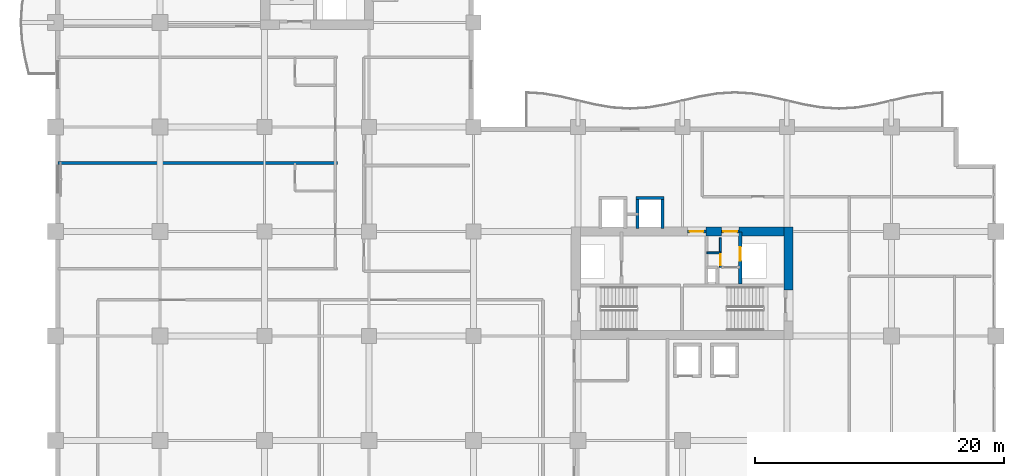
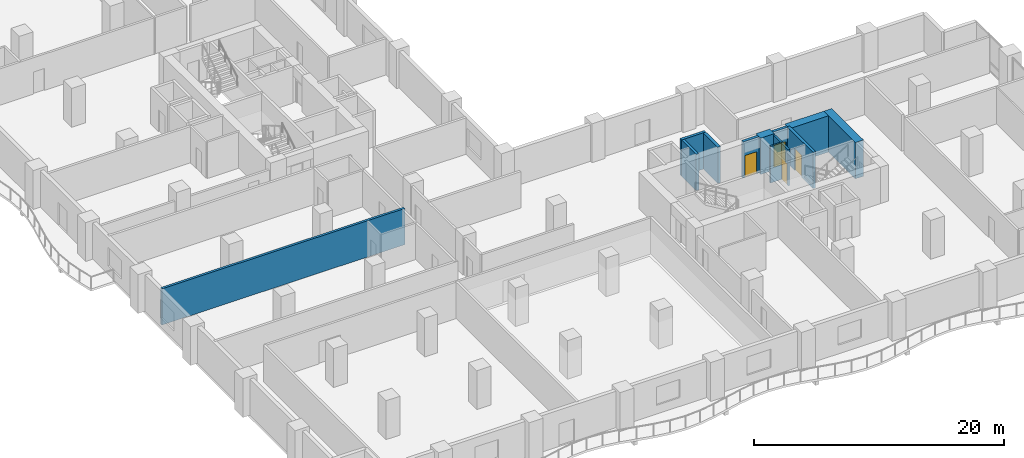
# One storey, part 10 of 23: 12 walls, 4 doors, 4 openings.
"""IFC4 building model written with IfcOpenShell, lengths in metres."""

import ifcopenshell
import ifcopenshell.guid

model = None  # the IFC model being written
_history = None  # IfcOwnerHistory: only IFC2X3 demands one
_inside = {}  # id of a spatial element -> (the spatial element, [elements in it])
_under = {}  # id of a project, library or spatial element -> (it, [spatial elements below it])
_declared = {}  # id of a project -> (the project, [libraries it declares])
_typed = {}  # id of a type object -> (the type object, [elements of that type])
_made_of = {}  # id of a material, layer set ... -> (it, [elements and type objects made of it])


def new_model(schema):
    """Start an empty IFC model of exactly this schema.

    Asked for "IFC4X3", IfcOpenShell would pick the latest addendum, in which some entities
    have other attributes; the version numbers below select the first issue.
    IFC2X3 requires an IfcOwnerHistory on every rooted entity: one is made here for all.
    """
    global model, _history
    if schema == "IFC4X3":
        model = ifcopenshell.file(schema_version=(4, 3, 0, 0))
    else:
        model = ifcopenshell.file(schema=schema)
    _inside.clear()
    _under.clear()
    _declared.clear()
    _typed.clear()
    _made_of.clear()
    _history = None
    if model.schema == "IFC2X3":
        org = make("IfcOrganization", Name="unknown")
        user = make(
            "IfcPersonAndOrganization",
            ThePerson=make("IfcPerson", FamilyName="unknown"),
            TheOrganization=org,
        )
        app = make(
            "IfcApplication",
            ApplicationDeveloper=org,
            Version="unknown",
            ApplicationFullName="unknown",
            ApplicationIdentifier="unknown",
        )
        _history = make(
            "IfcOwnerHistory",
            OwningUser=user,
            OwningApplication=app,
            ChangeAction="ADDED",
            CreationDate=0,
        )
    return model


def make(cls, **values):
    """One entity of the class cls with the attributes given. An attribute that is None is left unset."""
    return model.create_entity(
        cls, **{name: value for name, value in values.items() if value is not None}
    )


def rooted(cls, **values):
    """An entity with a GlobalId (a new one), such as an element, a storey or a relation."""
    return make(cls, GlobalId=ifcopenshell.guid.new(), OwnerHistory=_history, **values)


def si_unit(unit_type, name, prefix=None):
    """IfcSIUnit, for example si_unit("LENGTHUNIT", "METRE", prefix="MILLI")."""
    return make("IfcSIUnit", UnitType=unit_type, Prefix=prefix, Name=name)


def assignment(units):
    """IfcUnitAssignment: the units of a project."""
    return None if units is None else make("IfcUnitAssignment", Units=units)


def point(xyz):
    """IfcCartesianPoint."""
    return None if xyz is None else make("IfcCartesianPoint", Coordinates=xyz)


def direction(xyz):
    """IfcDirection."""
    return None if xyz is None else make("IfcDirection", DirectionRatios=xyz)


def frame(location, z_axis=None, x_axis=None):
    """IfcAxis2Placement3D, a coordinate frame: its origin and axes. An axis left out is left unset."""
    return make(
        "IfcAxis2Placement3D",
        Location=point(location),
        Axis=direction(z_axis),
        RefDirection=direction(x_axis),
    )


def frame_2d(location, x_axis=None):
    """IfcAxis2Placement2D, a coordinate frame in the plane: its origin and x axis."""
    return make(
        "IfcAxis2Placement2D", Location=point(location), RefDirection=direction(x_axis)
    )


def origin():
    """The frame at (0, 0, 0) with its axes left unset."""
    return frame((0.0, 0.0, 0.0))


def place(relative_to, where):
    """IfcLocalPlacement: puts the frame where relative to a parent placement (None: the world)."""
    return make(
        "IfcLocalPlacement", PlacementRelTo=relative_to, RelativePlacement=where
    )


def context(
    kind, dimensions, precision=None, world=None, true_north=None, identifier=None
):
    """IfcGeometricRepresentationContext, for example the 3D "Model" context."""
    return make(
        "IfcGeometricRepresentationContext",
        ContextIdentifier=identifier,
        ContextType=kind,
        CoordinateSpaceDimension=dimensions,
        Precision=precision,
        WorldCoordinateSystem=world,
        TrueNorth=true_north,
    )


def subcontext(parent, identifier, kind, view, scale=None):
    """IfcGeometricRepresentationSubContext, for example "Body" below "Model"."""
    return make(
        "IfcGeometricRepresentationSubContext",
        ContextIdentifier=identifier,
        ContextType=kind,
        ParentContext=parent,
        TargetScale=scale,
        TargetView=view,
    )


def project(units=None, contexts=None):
    """IfcProject with its units and contexts."""
    return rooted(
        "IfcProject",
        Name="project",
        RepresentationContexts=contexts,
        UnitsInContext=assignment(units),
    )


def spatial(cls, under=None, at=None, **own):
    """A site, building, storey or space (cls), placed at a placement, below another one or the project."""
    s = rooted(cls, ObjectPlacement=at, **own)
    if under is not None:
        _under.setdefault(under.id(), (under, []))[1].append(s)
    return s


def profile(cls, at=None, kind="AREA", **sizes):
    """A parametric profile (cls). Its sizes go by their IFC names, for example OverallWidth=200.0."""
    return make(cls, ProfileType=kind, Position=at, **sizes)


def rectangle(**sizes):
    """IfcRectangleProfileDef."""
    return profile("IfcRectangleProfileDef", **sizes)


def extrude(swept, where, along, depth):
    """IfcExtrudedAreaSolid: the profile swept, set in the frame where, extruded along a direction by depth."""
    return make(
        "IfcExtrudedAreaSolid",
        SweptArea=swept,
        Position=where,
        ExtrudedDirection=direction(along),
        Depth=depth,
    )


def shape(context_of_items, identifier, shape_type, items):
    """IfcShapeRepresentation: the items that make up one representation, for example the "Body"."""
    return make(
        "IfcShapeRepresentation",
        ContextOfItems=context_of_items,
        RepresentationIdentifier=identifier,
        RepresentationType=shape_type,
        Items=items,
    )


def material(Name=None, Category=None):
    """IfcMaterial."""
    return make("IfcMaterial", Name=Name, Category=Category)


def layer(
    of_material, thickness, ventilated=None, Name=None, Category=None, Priority=None
):
    """IfcMaterialLayer: one layer of a wall or slab, of a material (None: an air gap)."""
    return make(
        "IfcMaterialLayer",
        Material=of_material,
        LayerThickness=thickness,
        IsVentilated=ventilated,
        Name=Name,
        Category=Category,
        Priority=Priority,
    )


def layer_set(layers, Name=None):
    """IfcMaterialLayerSet."""
    return make("IfcMaterialLayerSet", MaterialLayers=layers, LayerSetName=Name)


def made_of(thing, what):
    """Note that an element or type object is made of a material, layer set ...; save() writes the relation."""
    if what is not None:
        _made_of.setdefault(what.id(), (what, []))[1].append(thing)
    return thing


def type_object(cls, material=None, **own):
    """A type object (cls), such as IfcWallType, which elements share."""
    return made_of(rooted(cls, **own), material)


def element(
    cls,
    number,
    at=None,
    inside=None,
    cuts=None,
    type_object=None,
    material=None,
    context=None,
    identifier="Body",
    shape_type=None,
    held_by="IfcProductDefinitionShape",
    body=None,
    shapes=None,
    **own,
):
    """One element of the class cls, such as IfcWall. Its Tag is "e" and its number.

    at: its placement. inside: the storey or other place that contains it. cuts: it is an
    opening in that element (IfcRelVoidsElement). A single representation is given by context,
    identifier, shape_type and body (its items); several are given by shapes. held_by: the class
    of the entity that holds the representations. save() writes the other relations.
    """
    e = rooted(cls, Tag="e%d" % number, ObjectPlacement=at, **own)
    if body is not None:
        shapes = [shape(context, identifier, shape_type, body)]
    if shapes is not None:
        e.Representation = make(held_by, Representations=shapes)
    if inside is not None:
        _inside.setdefault(inside.id(), (inside, []))[1].append(e)
    if cuts is not None:
        rooted(
            "IfcRelVoidsElement", RelatingBuildingElement=cuts, RelatedOpeningElement=e
        )
    if type_object is not None:
        _typed.setdefault(type_object.id(), (type_object, []))[1].append(e)
    return made_of(e, material)


def fill(opening, filler):
    """IfcRelFillsElement: the door or window that sits in an opening."""
    return rooted(
        "IfcRelFillsElement",
        RelatingOpeningElement=opening,
        RelatedBuildingElement=filler,
    )


def aggregate(whole, parts):
    """IfcRelAggregates: a whole, such as a stair, and the parts it consists of."""
    return rooted("IfcRelAggregates", RelatingObject=whole, RelatedObjects=parts)


def save(model, path):
    """Write the relations noted so far, then the file.

    IfcRelAggregates (storeys below a building ...), IfcRelContainedInSpatialStructure (elements
    in a storey), IfcRelDefinesByType, IfcRelAssociatesMaterial and IfcRelDeclares: one each for
    every whole, place, type object, material and project.
    """
    for whole, parts in _under.values():
        aggregate(whole, parts)
    for where, things in _inside.values():
        rooted(
            "IfcRelContainedInSpatialStructure",
            RelatedElements=things,
            RelatingStructure=where,
        )
    for kind, things in _typed.values():
        rooted("IfcRelDefinesByType", RelatedObjects=things, RelatingType=kind)
    for what, things in _made_of.values():
        rooted("IfcRelAssociatesMaterial", RelatedObjects=things, RelatingMaterial=what)
    for by, libraries in _declared.values():
        rooted("IfcRelDeclares", RelatingContext=by, RelatedDefinitions=libraries)
    model.write(path)


model = new_model("IFC4")

# Units and contexts
model_context = context("Model", 3, precision=1e-05, world=origin(), true_north=direction((0.0, 1.0)))
body_context = subcontext(model_context, "Body", "Model", "MODEL_VIEW")
ifc_project = project(units=[si_unit("LENGTHUNIT", "METRE"), si_unit("AREAUNIT", "SQUARE_METRE"), si_unit("VOLUMEUNIT", "CUBIC_METRE"), si_unit("PLANEANGLEUNIT", "RADIAN"), si_unit("MASSUNIT", "GRAM", prefix="KILO")], contexts=[model_context])

# Site, building, storey
site_placement = place(None, origin())
site = spatial("IfcSite", under=ifc_project, at=site_placement, CompositionType="ELEMENT")
building_placement = place(site_placement, origin())
building = spatial("IfcBuilding", under=site, at=building_placement, Name="Koriwani Terraces Tower", CompositionType="ELEMENT")
storey_placement = place(building_placement, frame((0.0, 0.0, 134.199951171875)))
storey = spatial("IfcBuildingStorey", under=building, at=storey_placement, Name="L32", CompositionType="ELEMENT", Elevation=134.199951171875)

# Walls
ifc_material_1 = material(Name="Concrete C60/75", Category="concrete")
ifc_layer_1 = layer(ifc_material_1, 0.75, Name="Concrete C60/75")
ifc_layer_set_1 = layer_set([ifc_layer_1], Name="Concrete C60/75")
wall_type_1 = type_object("IfcWallType", Name="WALL_CORE_RC_750", PredefinedType="SHEAR", material=ifc_layer_set_1)
wall_1_placement = place(storey_placement, frame((58.925048828125, 20.5, 0.0), z_axis=(0.0, 0.0, 1.0), x_axis=(0.0, 1.0, 0.0)))
element("IfcWall", 1, at=wall_1_placement, inside=storey, type_object=wall_type_1, Name="L32 East Split Core Shear Wall E2", PredefinedType="SHEAR", context=body_context, shape_type="SweptSolid", body=[
    extrude(rectangle(XDim=5.074951171875, YDim=0.75, at=frame_2d((2.53759765625, 0.0))), origin(), (0.0, 0.0, 1.0), 3.550048828125),
])
wall_2_placement = place(storey_placement, frame((52.280029296875, 25.199951171875, 0.0), z_axis=(0.0, 0.0, 1.0), x_axis=(1.0, 0.0, 0.0)))
element("IfcWall", 2, at=wall_2_placement, inside=storey, type_object=wall_type_1, Name="L32 East Split Core Shear Wall N2", PredefinedType="SHEAR", context=body_context, shape_type="SweptSolid", body=[
    extrude(rectangle(XDim=1.27001953125, YDim=0.75, at=frame_2d((0.635009765625, 0.0))), origin(), (0.0, 0.0, 1.0), 3.550048828125),
])
wall_3_placement = place(storey_placement, frame((54.949951171875, 25.199951171875, 0.0), z_axis=(0.0, 0.0, 1.0), x_axis=(1.0, 0.0, 0.0)))
element("IfcWall", 3, at=wall_3_placement, inside=storey, type_object=wall_type_1, Name="L32 East Split Core Shear Wall N3", PredefinedType="SHEAR", context=body_context, shape_type="SweptSolid", body=[
    extrude(rectangle(XDim=3.60009765625, YDim=0.75, at=frame_2d((1.800048828125, 0.0))), origin(), (0.0, 0.0, 1.0), 3.550048828125),
])
ifc_material_2 = material(Name="Autoclaved Cellular Concrete Blockwork", Category="masonry")
ifc_layer_2 = layer(ifc_material_2, 0.219970703125, Name="Autoclaved Cellular Concrete Blockwork")
ifc_layer_set_2 = layer_set([ifc_layer_2], Name="Autoclaved Cellular Concrete Blockwork")
wall_type_2 = type_object("IfcWallType", Name="WALL_DEMISING_220", PredefinedType="PARTITIONING", material=ifc_layer_set_2)
wall_4_placement = place(storey_placement, frame((0.199951171875, 30.699951171875, 0.0), z_axis=(0.0, 0.0, 1.0), x_axis=(1.0, 0.0, 0.0)))
element("IfcWall", 4, at=wall_4_placement, inside=storey, type_object=wall_type_2, Name="L32 Interior Wall WDEM-L32-NW-1", PredefinedType="PARTITIONING", context=body_context, shape_type="SweptSolid", body=[
    extrude(rectangle(XDim=22.47998046875, YDim=0.219970703125, at=frame_2d((11.239990234375, 0.0))), origin(), (0.0, 0.0, 1.0), 3.550048828125),
])

# Wall, opening, door
ifc_material_3 = material(Name="Concrete C40/50", Category="concrete")
ifc_layer_3 = layer(ifc_material_3, 0.25, Name="Concrete C40/50")
ifc_layer_set_3 = layer_set([ifc_layer_3], Name="Concrete C40/50")
wall_type_3 = type_object("IfcWallType", Name="WALL_SHAFT_RATED_250", PredefinedType="SOLIDWALL", material=ifc_layer_set_3)
wall_5_placement = place(storey_placement, frame((50.800048828125, 25.199951171875, 0.0), z_axis=(0.0, 0.0, 1.0), x_axis=(1.0, 0.0, 0.0)))
wall_5 = element("IfcWall", 5, at=wall_5_placement, inside=storey, type_object=wall_type_3, Name="L32 Interior Wall WIN-CE-L32-NP", PredefinedType="SOLIDWALL", context=body_context, shape_type="SweptSolid", body=[
    extrude(rectangle(XDim=1.47998046875, YDim=0.25, at=frame_2d((0.739990234375, 0.0))), origin(), (0.0, 0.0, 1.0), 3.550048828125),
])
opening_1_placement = place(wall_5_placement, frame((0.179931640625, 0.0, 0.0)))
opening_1 = element("IfcOpeningElement", 6, at=opening_1_placement, cuts=wall_5, Name="Opening D-03", PredefinedType="OPENING", context=body_context, shape_type="SweptSolid", body=[
    extrude(rectangle(XDim=1.10009765625, YDim=2.14990234375, at=frame_2d((0.550048828125, 1.074951171875))), frame((0.0, 0.135009765625, 0.0), z_axis=(0.0, -1.0, 0.0), x_axis=(1.0, 0.0, 0.0)), (0.0, 0.0, 1.0), 0.27001953125),
])
ifc_material_4 = material(Name="Steel ASTM A572 Grade 50", Category="steel")
door_type_1 = type_object("IfcDoorType", Name="DOOR_STAIR_FIRE_1100X2150", OperationType="NOTDEFINED", PredefinedType="DOOR", material=ifc_material_4)
door_1_placement = place(opening_1_placement, origin())
door_1 = element("IfcDoor", 7, at=door_1_placement, inside=storey, type_object=door_type_1, Name="L32 East Firefighting Lobby Door", OperationType="SINGLE_SWING_LEFT", OverallHeight=2.14990234375, OverallWidth=1.10009765625, PredefinedType="DOOR", context=body_context, shape_type="SweptSolid", body=[
    extrude(rectangle(XDim=1.10009765625, YDim=2.14990234375, at=frame_2d((0.550048828125, 1.074951171875))), frame((0.0, 0.02490234375, 0.0), z_axis=(0.0, -1.0, 0.0), x_axis=(1.0, 0.0, 0.0)), (0.0, 0.0, 1.0), 0.050048828125),
])
fill(opening_1, door_1)

wall_6_placement = place(storey_placement, frame((55.050048828125, 21.0, 0.0), z_axis=(0.0, 0.0, 1.0), x_axis=(0.0, 1.0, 0.0)))
wall_6 = element("IfcWall", 8, at=wall_6_placement, inside=storey, type_object=wall_type_3, Name="L32 Interior Wall WIN-CE-L32-SE", PredefinedType="SOLIDWALL", context=body_context, shape_type="SweptSolid", body=[
    extrude(rectangle(XDim=4.14990234375, YDim=0.25, at=frame_2d((2.074951171875, 0.0))), origin(), (0.0, 0.0, 1.0), 3.550048828125),
])
opening_2_placement = place(wall_6_placement, frame((1.85009765625, 0.0, 0.0)))
opening_2 = element("IfcOpeningElement", 9, at=opening_2_placement, cuts=wall_6, Name="Opening LD-01", PredefinedType="OPENING", context=body_context, shape_type="SweptSolid", body=[
    extrude(rectangle(XDim=1.10009765625, YDim=2.14990234375, at=frame_2d((0.550048828125, 1.074951171875))), frame((0.0, 0.135009765625, 0.0), z_axis=(0.0, -1.0, 0.0), x_axis=(1.0, 0.0, 0.0)), (0.0, 0.0, 1.0), 0.27001953125),
])
door_type_2 = type_object("IfcDoorType", Name="DOOR_LIFT_LANDING_1100X2200", OperationType="NOTDEFINED", PredefinedType="DOOR", material=ifc_material_4)
door_2_placement = place(opening_2_placement, origin())
door_2 = element("IfcDoor", 10, at=door_2_placement, inside=storey, type_object=door_type_2, Name="L32 Goods Lift SE-02 Landing Door", OperationType="SLIDING_TO_LEFT", OverallHeight=2.14990234375, OverallWidth=1.10009765625, PredefinedType="DOOR", context=body_context, shape_type="SweptSolid", body=[
    extrude(rectangle(XDim=1.10009765625, YDim=2.14990234375, at=frame_2d((0.550048828125, 1.074951171875))), frame((0.0, 0.02490234375, 0.0), z_axis=(0.0, -1.0, 0.0), x_axis=(1.0, 0.0, 0.0)), (0.0, 0.0, 1.0), 0.050048828125),
])
fill(opening_2, door_2)

wall_7_placement = place(storey_placement, frame((53.550048828125, 25.199951171875, 0.0), z_axis=(0.0, 0.0, 1.0), x_axis=(1.0, 0.0, 0.0)))
wall_7 = element("IfcWall", 11, at=wall_7_placement, inside=storey, type_object=wall_type_3, Name="L32 Interior Wall WIN-CE-L32-NP2", PredefinedType="SOLIDWALL", context=body_context, shape_type="SweptSolid", body=[
    extrude(rectangle(XDim=1.39990234375, YDim=0.25, at=frame_2d((0.699951171875, 0.0))), origin(), (0.0, 0.0, 1.0), 3.550048828125),
])
opening_3_placement = place(wall_7_placement, frame((0.14990234375, 0.0, 0.0)))
opening_3 = element("IfcOpeningElement", 12, at=opening_3_placement, cuts=wall_7, Name="Opening D-03", PredefinedType="OPENING", context=body_context, shape_type="SweptSolid", body=[
    extrude(rectangle(XDim=1.10009765625, YDim=2.14990234375, at=frame_2d((0.550048828125, 1.074951171875))), frame((0.0, 0.135009765625, 0.0), z_axis=(0.0, -1.0, 0.0), x_axis=(1.0, 0.0, 0.0)), (0.0, 0.0, 1.0), 0.27001953125),
])
door_3_placement = place(opening_3_placement, origin())
door_3 = element("IfcDoor", 13, at=door_3_placement, inside=storey, type_object=door_type_1, Name="L32 East Goods Lift Lobby Door", OperationType="SINGLE_SWING_RIGHT", OverallHeight=2.14990234375, OverallWidth=1.10009765625, PredefinedType="DOOR", context=body_context, shape_type="SweptSolid", body=[
    extrude(rectangle(XDim=1.10009765625, YDim=2.14990234375, at=frame_2d((0.550048828125, 1.074951171875))), frame((0.0, 0.02490234375, 0.0), z_axis=(0.0, -1.0, 0.0), x_axis=(1.0, 0.0, 0.0)), (0.0, 0.0, 1.0), 0.050048828125),
])
fill(opening_3, door_3)

# Walls
wall_8_placement = place(storey_placement, frame((46.675048828125, 27.89990234375, 0.0), z_axis=(0.0, 0.0, 1.0), x_axis=(1.0, 0.0, 0.0)))
element("IfcWall", 14, at=wall_8_placement, inside=storey, type_object=wall_type_3, Name="L32 Interior Wall WIN-LF-PE-H4-L32-F", PredefinedType="SOLIDWALL", context=body_context, shape_type="SweptSolid", body=[
    extrude(rectangle(XDim=2.25, YDim=0.25, at=frame_2d((1.125, 0.0))), origin(), (0.0, 0.0, 1.0), 3.550048828125),
])
for number, where, z_axis, x_axis, name in (
    (15, (46.800048828125, 25.449951171875, 0.0), (0.0, 0.0, 1.0), (0.0, 1.0, 0.0), "L32 Interior Wall WIN-LF-PE-H4-L32-W"),
    (16, (48.800048828125, 25.449951171875, 0.0), (0.0, 0.0, 1.0), (0.0, 1.0, 0.0), "L32 Interior Wall WIN-LF-PE-H4-L32-E"),
):
    element("IfcWall", number, at=place(storey_placement, frame(where, z_axis=z_axis, x_axis=x_axis)), inside=storey, type_object=wall_type_3, Name=name, PredefinedType="SOLIDWALL", context=body_context, shape_type="SweptSolid", body=[
        extrude(rectangle(XDim=2.324951171875, YDim=0.25, at=frame_2d((1.16259765625, 0.0))), origin(), (0.0, 0.0, 1.0), 3.550048828125),
    ])

# Wall, opening, door
ifc_material_5 = material(Name="Fire-Rated Acoustic Gypsum Partition", Category="masonry")
ifc_layer_4 = layer(ifc_material_5, 0.159912109375, Name="Fire-Rated Acoustic Gypsum Partition")
ifc_layer_set_4 = layer_set([ifc_layer_4], Name="Fire-Rated Acoustic Gypsum Partition")
wall_type_4 = type_object("IfcWallType", Name="WALL_SUITE_160", PredefinedType="PARTITIONING", material=ifc_layer_set_4)
wall_9_placement = place(storey_placement, frame((53.4599609375, 22.320068359375, 0.0), z_axis=(0.0, 0.0, 1.0), x_axis=(0.0, 1.0, 0.0)))
wall_9 = element("IfcWall", 17, at=wall_9_placement, inside=storey, type_object=wall_type_4, Name="L32 Interior Wall WIN-CE-L32-SV2H", PredefinedType="PARTITIONING", context=body_context, shape_type="SweptSolid", body=[
    extrude(rectangle(XDim=2.35986328125, YDim=0.159912109375, at=frame_2d((1.179931640625, 0.0))), origin(), (0.0, 0.0, 1.0), 3.550048828125),
])
opening_4_placement = place(wall_9_placement, frame((0.159912109375, 0.0, 0.0)))
opening_4 = element("IfcOpeningElement", 18, at=opening_4_placement, cuts=wall_9, Name="Opening D-07", PredefinedType="OPENING", context=body_context, shape_type="SweptSolid", body=[
    extrude(rectangle(XDim=0.89990234375, YDim=2.10009765625, at=frame_2d((0.449951171875, 1.050048828125))), frame((0.0, 0.08984375, 0.0), z_axis=(0.0, -1.0, 0.0), x_axis=(1.0, 0.0, 0.0)), (0.0, 0.0, 1.0), 0.179931640625),
])
ifc_material_6 = material(Name="Architectural Oak Fire Door", Category="wood")
door_type_3 = type_object("IfcDoorType", Name="DOOR_BATH_INT_900X2100", OperationType="NOTDEFINED", PredefinedType="DOOR", material=ifc_material_6)
door_4_placement = place(opening_4_placement, origin())
door_4 = element("IfcDoor", 19, at=door_4_placement, inside=storey, type_object=door_type_3, Name="L32 East Valve Room Door", OperationType="SINGLE_SWING_RIGHT", OverallHeight=2.10009765625, OverallWidth=0.89990234375, PredefinedType="DOOR", context=body_context, shape_type="SweptSolid", body=[
    extrude(rectangle(XDim=0.89990234375, YDim=2.10009765625, at=frame_2d((0.449951171875, 1.050048828125))), frame((0.0, 0.02490234375, 0.0), z_axis=(0.0, -1.0, 0.0), x_axis=(1.0, 0.0, 0.0)), (0.0, 0.0, 1.0), 0.050048828125),
])
fill(opening_4, door_4)

# Wall
wall_10_placement = place(storey_placement, frame((52.360107421875, 23.47998046875, 0.0), z_axis=(0.0, 0.0, 1.0), x_axis=(1.0, 0.0, 0.0)))
element("IfcWall", 20, at=wall_10_placement, inside=storey, type_object=wall_type_4, Name="L32 Interior Wall WIN-CE-L32-SV2V", PredefinedType="PARTITIONING", context=body_context, shape_type="SweptSolid", body=[
    extrude(rectangle(XDim=1.099853515625, YDim=0.159912109375, at=frame_2d((0.5498046875, 0.0))), origin(), (0.0, 0.0, 1.0), 3.550048828125),
])

save(model, "model.ifc")
